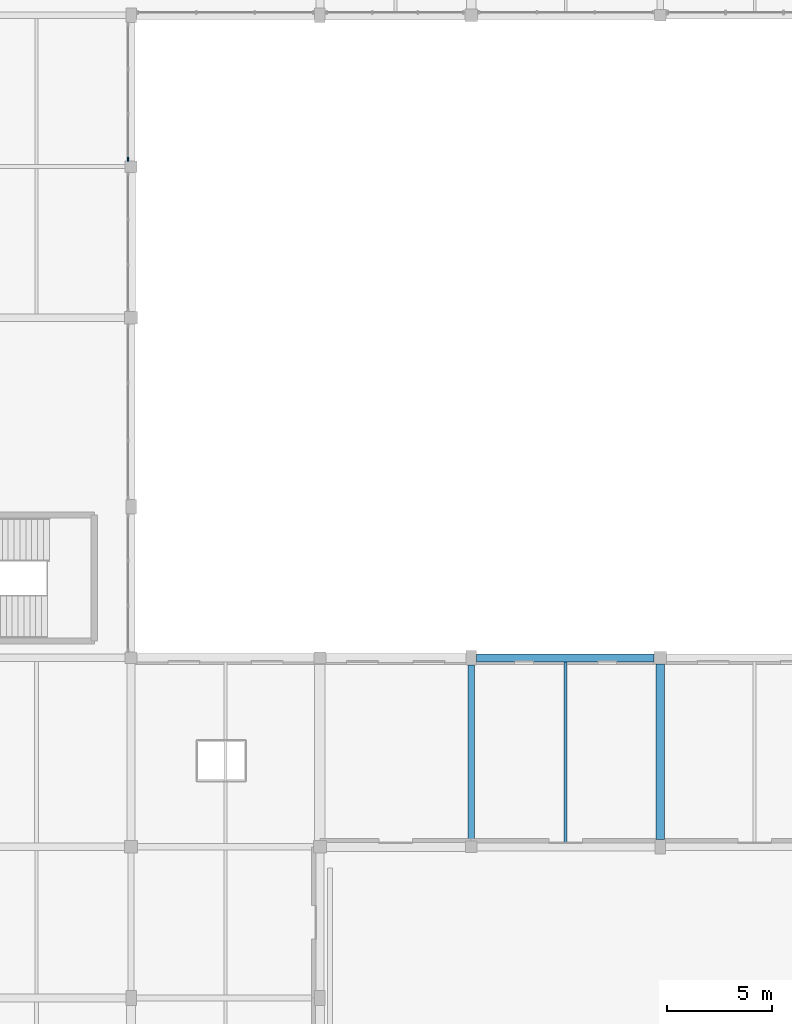
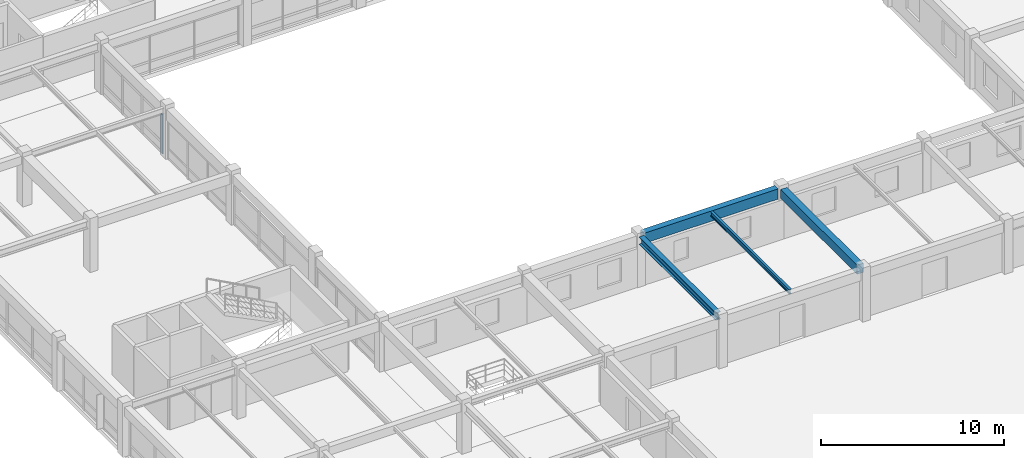
# One storey, part 21 of 74: 4 beams, 1 member, 1 element without a shape of its own.
"""IFC4 building model written with IfcOpenShell, lengths in metres."""

from ifc_helpers import new_model, si_unit, direction, frame, origin, origin_2d, place, context, subcontext, project, spatial, rectangle, i_section, extrude, material, material_profile, profile_set, type_object, element, aggregate, save


model = new_model("IFC4")

# Units and contexts
model_context = context("Model", 3, precision=1e-05, world=origin(), true_north=direction((0.0, 1.0)))
body_context = subcontext(model_context, "Body", "Model", "MODEL_VIEW")
ifc_project = project(units=[si_unit("LENGTHUNIT", "METRE"), si_unit("AREAUNIT", "SQUARE_METRE"), si_unit("VOLUMEUNIT", "CUBIC_METRE"), si_unit("PLANEANGLEUNIT", "RADIAN"), si_unit("MASSUNIT", "GRAM", prefix="KILO")], contexts=[model_context])

# Site, building, storey
site_placement = place(None, origin())
site = spatial("IfcSite", under=ifc_project, at=site_placement, CompositionType="ELEMENT")
building_placement = place(site_placement, origin())
building = spatial("IfcBuilding", under=site, at=building_placement, Name="Clarverna Civic Hall", CompositionType="ELEMENT")
storey_placement = place(building_placement, frame((0.0, 0.0, 9.60009765625)))
storey = spatial("IfcBuildingStorey", under=building, at=storey_placement, Name="L02", CompositionType="ELEMENT", Elevation=9.60009765625)

# Beams
ifc_material_1 = material(Name="Concrete C35/45", Category="concrete")
ifc_material_profile_1 = material_profile(ifc_material_1, rectangle(XDim=0.39990234375, YDim=0.60009765625, at=origin_2d()), Name="RC 400x600")
ifc_profile_set_1 = profile_set([ifc_material_profile_1], Name="Concrete C35/45")
beam_type_1 = type_object("IfcBeamType", Name="B-RC7", PredefinedType="BEAM", material=ifc_profile_set_1)
beam_1_placement = place(storey_placement, frame((41.39990234375, 62.949951171875, 3.059814453125), z_axis=(0.0, 1.0, 0.0), x_axis=(-1.0, 0.0, 0.0)))
element("IfcBeam", 1, at=beam_1_placement, inside=storey, type_object=beam_type_1, Name="B-RC7-027", PredefinedType="BEAM", context=body_context, shape_type="SweptSolid", body=[
    extrude(rectangle(XDim=0.39990234375, YDim=0.60009765625, at=origin_2d()), origin(), (0.0, 0.0, 1.0), 8.35009765625),
])
ifc_material_profile_2 = material_profile(ifc_material_1, rectangle(XDim=0.3798828125, YDim=0.679931640625, at=origin_2d()), Name="RC 380x680")
ifc_profile_set_2 = profile_set([ifc_material_profile_2], Name="Concrete C35/45")
beam_type_2 = type_object("IfcBeamType", Name="B-SP2", PredefinedType="SPANDREL", material=ifc_profile_set_2)
beam_2_placement = place(storey_placement, frame((32.64990234375, 71.60009765625, 3.02001953125), z_axis=(1.0, 0.0, 0.0), x_axis=(0.0, 1.0, 0.0)))
element("IfcBeam", 2, at=beam_2_placement, inside=storey, type_object=beam_type_2, Name="B-SP2-086", PredefinedType="SPANDREL", context=body_context, shape_type="SweptSolid", body=[
    extrude(rectangle(XDim=0.3798828125, YDim=0.679931640625, at=origin_2d()), origin(), (0.0, 0.0, 1.0), 8.4501953125),
])
ifc_material_2 = material(Name="Steel S355", Category="steel")
ifc_material_profile_3 = material_profile(ifc_material_2, i_section(OverallWidth=0.300048828125, OverallDepth=0.5, WebThickness=0.014404296875, FlangeThickness=0.028076171875, FilletRadius=0.027099609375, at=origin_2d()), Name="HEB 500")
ifc_profile_set_3 = profile_set([ifc_material_profile_3], Name="Steel S355")
beam_type_3 = type_object("IfcBeamType", Name="B-ST2", PredefinedType="BEAM", material=ifc_profile_set_3)
beam_3_placement = place(storey_placement, frame((32.39990234375, 62.875, 3.10986328125), z_axis=(0.0, 1.0, 0.0), x_axis=(-1.0, 0.0, 0.0)))
element("IfcBeam", 3, at=beam_3_placement, inside=storey, type_object=beam_type_3, Name="B-ST2-007", PredefinedType="BEAM", context=body_context, shape_type="SweptSolid", body=[
    extrude(i_section(OverallWidth=0.300048828125, OverallDepth=0.5, WebThickness=0.014404296875, FlangeThickness=0.028076171875, FilletRadius=0.027099609375, at=origin_2d()), origin(), (0.0, 0.0, 1.0), 8.375),
])

# Curtain wall, member
ifc_material_3 = material(Name="Anodised Bronze Architectural Aluminium", Category="aluminium")
curtain_wall_type = type_object("IfcCurtainWallType", Name="CW-04", PredefinedType="USERDEFINED", material=ifc_material_3)
curtain_wall_placement = place(storey_placement, origin())
curtain_wall = element("IfcCurtainWall", 4, at=curtain_wall_placement, inside=storey, type_object=curtain_wall_type, Name="CW-04-032", ObjectType="UNITISED CURTAIN WALL", PredefinedType="USERDEFINED")
ifc_material_profile_4 = material_profile(ifc_material_3, rectangle(XDim=0.06494140625, YDim=0.199951171875, at=origin_2d()), Name="BRONZE 65x200")
ifc_profile_set_4 = profile_set([ifc_material_profile_4], Name="Anodised Bronze Architectural Aluminium")
member_type = type_object("IfcMemberType", Name="CWM-03", PredefinedType="MULLION", material=ifc_profile_set_4)
member_placement = place(storey_placement, frame((16.06005859375, 95.347900390625, 0.0), z_axis=(0.0, 0.0, 1.0), x_axis=(1.0, 0.0, 0.0)))
member = element("IfcMember", 5, at=member_placement, type_object=member_type, Name="CWM-03-124", PredefinedType="MULLION", context=body_context, shape_type="SweptSolid", body=[
    extrude(rectangle(XDim=0.06494140625, YDim=0.199951171875, at=origin_2d()), origin(), (0.0, 0.0, 1.0), 2.599853515625),
])
aggregate(curtain_wall, [member])

# Beam
ifc_material_profile_5 = material_profile(ifc_material_2, i_section(OverallWidth=0.14990234375, OverallDepth=0.300048828125, WebThickness=0.007080078125, FlangeThickness=0.0107421875, FilletRadius=0.014892578125, at=origin_2d()), Name="IPE 300")
ifc_profile_set_5 = profile_set([ifc_material_profile_5], Name="Steel S355")
beam_type_4 = type_object("IfcBeamType", Name="J-ST3", PredefinedType="JOIST", material=ifc_profile_set_5)
beam_4_placement = place(storey_placement, frame((36.89990234375, 62.7900390625, 3.2099609375), z_axis=(0.0, 1.0, 0.0), x_axis=(-1.0, 0.0, 0.0)))
element("IfcBeam", 6, at=beam_4_placement, inside=storey, type_object=beam_type_4, Name="J-ST3-052", PredefinedType="JOIST", context=body_context, shape_type="SweptSolid", body=[
    extrude(i_section(OverallWidth=0.14990234375, OverallDepth=0.300048828125, WebThickness=0.007080078125, FlangeThickness=0.0107421875, FilletRadius=0.014892578125, at=origin_2d()), origin(), (0.0, 0.0, 1.0), 8.619873046875),
])

save(model, "model.ifc")
